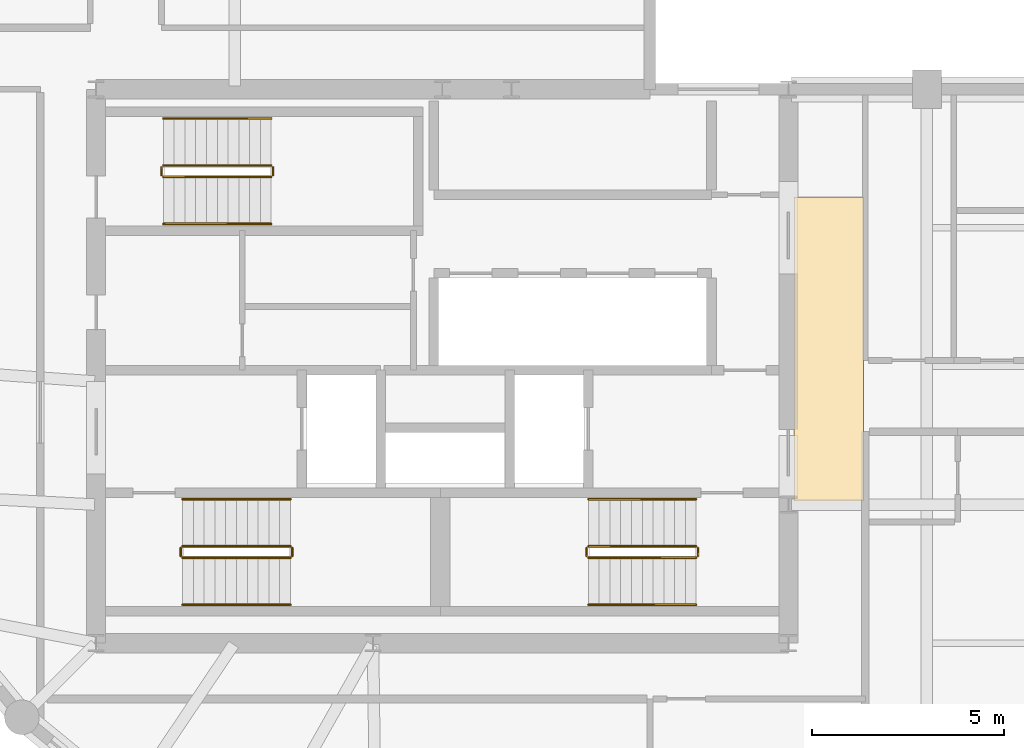
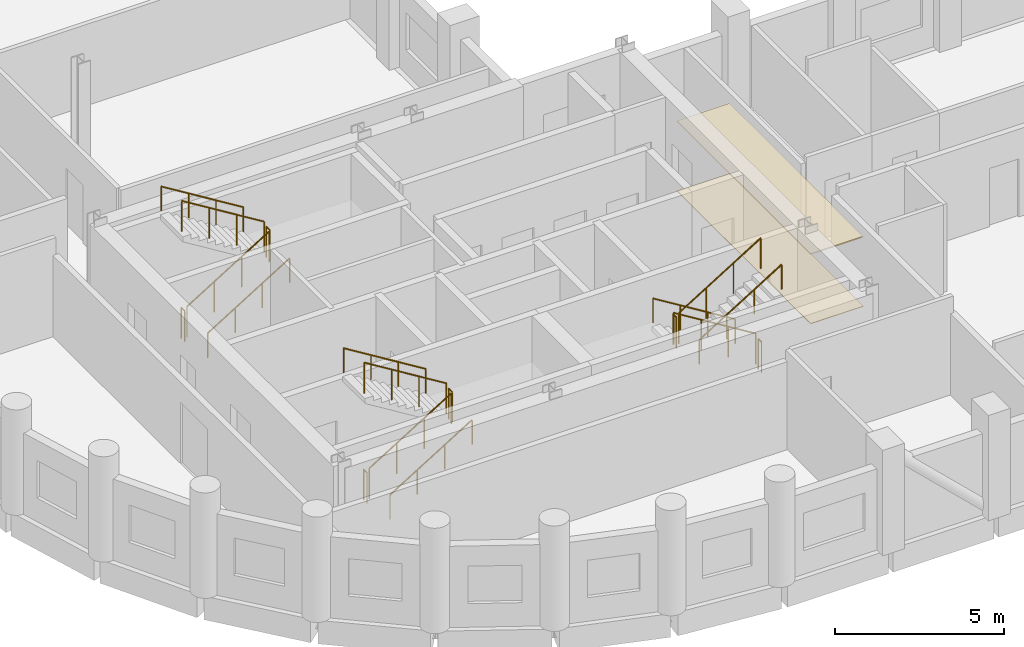
# One storey, part 8 of 8: 18 railings, 2 coverings.
"""IFC4 building model written with IfcOpenShell, lengths in metres."""

from ifc_helpers import new_model, si_unit, direction, frame, origin, origin_2d, place, context, subcontext, project, spatial, polyline, circle, outline, extrude, material, layer, layer_set, type_object, element, save


model = new_model("IFC4")

# Units and contexts
model_context = context("Model", 3, precision=1e-05, world=origin(), true_north=direction((0.0, 1.0)))
body_context = subcontext(model_context, "Body", "Model", "MODEL_VIEW")
ifc_project = project(units=[si_unit("LENGTHUNIT", "METRE"), si_unit("AREAUNIT", "SQUARE_METRE"), si_unit("VOLUMEUNIT", "CUBIC_METRE"), si_unit("PLANEANGLEUNIT", "RADIAN"), si_unit("MASSUNIT", "GRAM", prefix="KILO")], contexts=[model_context])

# Site, building, storey
site_placement = place(None, origin())
site = spatial("IfcSite", under=ifc_project, at=site_placement, CompositionType="ELEMENT")
building_placement = place(site_placement, origin())
building = spatial("IfcBuilding", under=site, at=building_placement, Name="Solnavia Interchange Tower", CompositionType="ELEMENT")
storey_placement = place(building_placement, frame((0.0, 0.0, 161.800048828125)))
storey = spatial("IfcBuildingStorey", under=building, at=storey_placement, Name="L40", CompositionType="ELEMENT", Elevation=161.800048828125)

# Coverings
ifc_material_1 = material(Name="Perforated Mineral-Fibre & Gypsum Ceiling", Category="gypsum")
ifc_layer_1 = layer(ifc_material_1, 0.0400390625)
ifc_layer_set_1 = layer_set([ifc_layer_1], Name="Perforated Mineral-Fibre & Gypsum Ceiling")
covering_type_1 = type_object("IfcCoveringType", Name="Covering-Ceiling-Acoustic40", PredefinedType="CEILING", material=ifc_layer_set_1)
covering_1_placement = place(storey_placement, frame((0.0, 0.0, 2.5)))
element("IfcCovering", 1, at=covering_1_placement, inside=storey, type_object=covering_type_1, Name="CLG-L40-01 Circulation suspended acoustic ceiling", PredefinedType="CEILING", context=body_context, shape_type="SweptSolid", body=[
    extrude(outline(polyline([(32.550048828125, 14.5), (34.35009765625, 14.5), (34.35009765625, 22.39990234375), (32.550048828125, 22.39990234375), (32.550048828125, 14.5)])), origin(), (0.0, 0.0, 1.0), 0.0400390625),
])
ifc_material_2 = material(Name="Engineered European Oak Flooring", Category="wood")
ifc_layer_2 = layer(ifc_material_2, 0.02001953125)
ifc_layer_set_2 = layer_set([ifc_layer_2], Name="Engineered European Oak Flooring")
covering_type_2 = type_object("IfcCoveringType", Name="Covering-Flooring-Timber20", PredefinedType="FLOORING", material=ifc_layer_set_2)
covering_2_placement = place(storey_placement, origin())
element("IfcCovering", 2, at=covering_2_placement, inside=storey, type_object=covering_type_2, Name="FLR-L40-01 Circulation floor finish", PredefinedType="FLOORING", context=body_context, shape_type="SweptSolid", body=[
    extrude(outline(polyline([(32.550048828125, 14.5), (34.35009765625, 14.5), (34.35009765625, 22.39990234375), (32.550048828125, 22.39990234375), (32.550048828125, 14.5)])), origin(), (0.0, 0.0, 1.0), 0.02001953125),
])

# Railings
ifc_material_3 = material(Name="Painted Steel Balustrade", Category="steel")
railing_type_1 = type_object("IfcRailingType", Name="Railing-StairGuard-1100", PredefinedType="GUARDRAIL", material=ifc_material_3)
railing_1_placement = place(storey_placement, frame((16.64990234375, 13.02001953125, 0.172607421875)))
element("IfcRailing", 3, at=railing_1_placement, inside=storey, type_object=railing_type_1, Name="L40 ST-1 stair guard 1", PredefinedType="GUARDRAIL", context=body_context, shape_type="SweptSolid", body=[
    extrude(circle(Radius=0.02392578125, at=origin_2d()), frame((0.0, 0.0, 1.09619140625), z_axis=(0.851089632645, 0.0, 0.525020415988), x_axis=(0.0, 1.0, 0.0)), (0.0, 0.0, 1.0), 3.2900390625),
    extrude(circle(Radius=0.02099609375, at=origin_2d()), origin(), (0.0, 0.0, 1.0), 1.072021484375),
    extrude(circle(Radius=0.02099609375, at=origin_2d()), frame((0.933349609375, 0.0, 0.57568359375)), (0.0, 0.0, 1.0), 1.072021484375),
    extrude(circle(Radius=0.02099609375, at=origin_2d()), frame((1.86669921875, 0.0, 1.151611328125)), (0.0, 0.0, 1.0), 1.072021484375),
    extrude(circle(Radius=0.02099609375, at=origin_2d()), frame((2.800048828125, 0.0, 1.727294921875)), (0.0, 0.0, 1.0), 1.072021484375),
])
railing_2_placement = place(storey_placement, frame((19.5, 13.070068359375, 1.89990234375)))
element("IfcRailing", 4, at=railing_2_placement, inside=storey, type_object=railing_type_1, Name="L40 ST-1 stair guard 2", PredefinedType="GUARDRAIL", context=body_context, shape_type="SweptSolid", body=[
    extrude(circle(Radius=0.02392578125, at=origin_2d()), frame((0.0, 0.0, 1.09619140625), z_axis=(0.0, 1.0, 0.0), x_axis=(-1.0, 0.0, 0.0)), (0.0, 0.0, 1.0), 0.199951171875),
    extrude(circle(Radius=0.02099609375, at=origin_2d()), origin(), (0.0, 0.0, 1.0), 1.072021484375),
    extrude(circle(Radius=0.02099609375, at=origin_2d()), frame((0.0, 0.199951171875, 0.0)), (0.0, 0.0, 1.0), 1.072021484375),
])
railing_3_placement = place(storey_placement, frame((19.449951171875, 13.320068359375, 2.07275390625)))
element("IfcRailing", 5, at=railing_3_placement, inside=storey, type_object=railing_type_1, Name="L40 ST-1 stair guard 3", PredefinedType="GUARDRAIL", context=body_context, shape_type="SweptSolid", body=[
    extrude(circle(Radius=0.02392578125, at=origin_2d()), frame((0.0, 0.0, 1.09619140625), z_axis=(-0.851089632645, 0.0, 0.525020415988), x_axis=(0.0, -1.0, 0.0)), (0.0, 0.0, 1.0), 3.2900390625),
    extrude(circle(Radius=0.02099609375, at=origin_2d()), origin(), (0.0, 0.0, 1.0), 1.072021484375),
    extrude(circle(Radius=0.02099609375, at=origin_2d()), frame((-0.933349609375, 0.0, 0.57568359375)), (0.0, 0.0, 1.0), 1.072021484375),
    extrude(circle(Radius=0.02099609375, at=origin_2d()), frame((-1.86669921875, 0.0, 1.151611328125)), (0.0, 0.0, 1.0), 1.072021484375),
    extrude(circle(Radius=0.02099609375, at=origin_2d()), frame((-2.800048828125, 0.0, 1.727294921875)), (0.0, 0.0, 1.0), 1.072021484375),
])
railing_4_placement = place(storey_placement, frame((16.60009765625, 13.070068359375, 0.0)))
element("IfcRailing", 6, at=railing_4_placement, inside=storey, type_object=railing_type_1, Name="L40 ST-1 stair guard 4", PredefinedType="GUARDRAIL", context=body_context, shape_type="SweptSolid", body=[
    extrude(circle(Radius=0.02392578125, at=origin_2d()), frame((0.0, 0.0, 1.09619140625), z_axis=(0.0, 1.0, 0.0), x_axis=(-1.0, 0.0, 0.0)), (0.0, 0.0, 1.0), 0.199951171875),
    extrude(circle(Radius=0.02099609375, at=origin_2d()), origin(), (0.0, 0.0, 1.0), 1.072021484375),
    extrude(circle(Radius=0.02099609375, at=origin_2d()), frame((0.0, 0.199951171875, 0.0)), (0.0, 0.0, 1.0), 1.072021484375),
])
railing_5_placement = place(storey_placement, frame((30.0, 13.320068359375, 0.172607421875)))
element("IfcRailing", 7, at=railing_5_placement, inside=storey, type_object=railing_type_1, Name="L40 ST-2 stair guard 1", PredefinedType="GUARDRAIL", context=body_context, shape_type="SweptSolid", body=[
    extrude(circle(Radius=0.02392578125, at=origin_2d()), frame((0.0, 0.0, 1.09619140625), z_axis=(-0.851089632645, 0.0, 0.525020415988), x_axis=(0.0, -1.0, 0.0)), (0.0, 0.0, 1.0), 3.2900390625),
    extrude(circle(Radius=0.02099609375, at=origin_2d()), origin(), (0.0, 0.0, 1.0), 1.072021484375),
    extrude(circle(Radius=0.02099609375, at=origin_2d()), frame((-0.933349609375, 0.0, 0.57568359375)), (0.0, 0.0, 1.0), 1.072021484375),
    extrude(circle(Radius=0.02099609375, at=origin_2d()), frame((-1.86669921875, 0.0, 1.151611328125)), (0.0, 0.0, 1.0), 1.072021484375),
    extrude(circle(Radius=0.02099609375, at=origin_2d()), frame((-2.800048828125, 0.0, 1.727294921875)), (0.0, 0.0, 1.0), 1.072021484375),
])
railing_6_placement = place(storey_placement, frame((27.14990234375, 13.27001953125, 1.89990234375)))
element("IfcRailing", 8, at=railing_6_placement, inside=storey, type_object=railing_type_1, Name="L40 ST-2 stair guard 2", PredefinedType="GUARDRAIL", context=body_context, shape_type="SweptSolid", body=[
    extrude(circle(Radius=0.02392578125, at=origin_2d()), frame((0.0, 0.0, 1.09619140625), z_axis=(0.0, -1.0, 0.0), x_axis=(1.0, 0.0, 0.0)), (0.0, 0.0, 1.0), 0.199951171875),
    extrude(circle(Radius=0.02099609375, at=origin_2d()), origin(), (0.0, 0.0, 1.0), 1.072021484375),
    extrude(circle(Radius=0.02099609375, at=origin_2d()), frame((0.0, -0.199951171875, 0.0)), (0.0, 0.0, 1.0), 1.072021484375),
])
railing_7_placement = place(storey_placement, frame((27.199951171875, 13.02001953125, 2.07275390625)))
element("IfcRailing", 9, at=railing_7_placement, inside=storey, type_object=railing_type_1, Name="L40 ST-2 stair guard 3", PredefinedType="GUARDRAIL", context=body_context, shape_type="SweptSolid", body=[
    extrude(circle(Radius=0.02392578125, at=origin_2d()), frame((0.0, 0.0, 1.09619140625), z_axis=(0.851089632645, 0.0, 0.525020415988), x_axis=(0.0, 1.0, 0.0)), (0.0, 0.0, 1.0), 3.2900390625),
    extrude(circle(Radius=0.02099609375, at=origin_2d()), origin(), (0.0, 0.0, 1.0), 1.072021484375),
    extrude(circle(Radius=0.02099609375, at=origin_2d()), frame((0.933349609375, 0.0, 0.57568359375)), (0.0, 0.0, 1.0), 1.072021484375),
    extrude(circle(Radius=0.02099609375, at=origin_2d()), frame((1.86669921875, 0.0, 1.151611328125)), (0.0, 0.0, 1.0), 1.072021484375),
    extrude(circle(Radius=0.02099609375, at=origin_2d()), frame((2.800048828125, 0.0, 1.727294921875)), (0.0, 0.0, 1.0), 1.072021484375),
])
railing_8_placement = place(storey_placement, frame((30.050048828125, 13.27001953125, 0.0)))
element("IfcRailing", 10, at=railing_8_placement, inside=storey, type_object=railing_type_1, Name="L40 ST-2 stair guard 4", PredefinedType="GUARDRAIL", context=body_context, shape_type="SweptSolid", body=[
    extrude(circle(Radius=0.02392578125, at=origin_2d()), frame((0.0, 0.0, 1.09619140625), z_axis=(0.0, -1.0, 0.0), x_axis=(1.0, 0.0, 0.0)), (0.0, 0.0, 1.0), 0.199951171875),
    extrude(circle(Radius=0.02099609375, at=origin_2d()), origin(), (0.0, 0.0, 1.0), 1.072021484375),
    extrude(circle(Radius=0.02099609375, at=origin_2d()), frame((0.0, -0.199951171875, 0.0)), (0.0, 0.0, 1.0), 1.072021484375),
])
railing_9_placement = place(storey_placement, frame((16.14990234375, 22.919921875, 0.172607421875)))
element("IfcRailing", 11, at=railing_9_placement, inside=storey, type_object=railing_type_1, Name="L40 ST-3 stair guard 1", PredefinedType="GUARDRAIL", context=body_context, shape_type="SweptSolid", body=[
    extrude(circle(Radius=0.02392578125, at=origin_2d()), frame((0.0, 0.0, 1.09619140625), z_axis=(0.851089632645, 0.0, 0.525020415988), x_axis=(0.0, 1.0, 0.0)), (0.0, 0.0, 1.0), 3.2900390625),
    extrude(circle(Radius=0.02099609375, at=origin_2d()), origin(), (0.0, 0.0, 1.0), 1.072021484375),
    extrude(circle(Radius=0.02099609375, at=origin_2d()), frame((0.933349609375, 0.0, 0.57568359375)), (0.0, 0.0, 1.0), 1.072021484375),
    extrude(circle(Radius=0.02099609375, at=origin_2d()), frame((1.86669921875, 0.0, 1.151611328125)), (0.0, 0.0, 1.0), 1.072021484375),
    extrude(circle(Radius=0.02099609375, at=origin_2d()), frame((2.800048828125, 0.0, 1.727294921875)), (0.0, 0.0, 1.0), 1.072021484375),
])
railing_10_placement = place(storey_placement, frame((19.0, 22.969970703125, 1.89990234375)))
element("IfcRailing", 12, at=railing_10_placement, inside=storey, type_object=railing_type_1, Name="L40 ST-3 stair guard 2", PredefinedType="GUARDRAIL", context=body_context, shape_type="SweptSolid", body=[
    extrude(circle(Radius=0.02392578125, at=origin_2d()), frame((0.0, 0.0, 1.09619140625), z_axis=(0.0, 1.0, 0.0), x_axis=(-1.0, 0.0, 0.0)), (0.0, 0.0, 1.0), 0.199951171875),
    extrude(circle(Radius=0.02099609375, at=origin_2d()), origin(), (0.0, 0.0, 1.0), 1.072021484375),
    extrude(circle(Radius=0.02099609375, at=origin_2d()), frame((0.0, 0.199951171875, 0.0)), (0.0, 0.0, 1.0), 1.072021484375),
])
railing_11_placement = place(storey_placement, frame((18.949951171875, 23.219970703125, 2.07275390625)))
element("IfcRailing", 13, at=railing_11_placement, inside=storey, type_object=railing_type_1, Name="L40 ST-3 stair guard 3", PredefinedType="GUARDRAIL", context=body_context, shape_type="SweptSolid", body=[
    extrude(circle(Radius=0.02392578125, at=origin_2d()), frame((0.0, 0.0, 1.09619140625), z_axis=(-0.851089632645, 0.0, 0.525020415988), x_axis=(0.0, -1.0, 0.0)), (0.0, 0.0, 1.0), 3.2900390625),
    extrude(circle(Radius=0.02099609375, at=origin_2d()), origin(), (0.0, 0.0, 1.0), 1.072021484375),
    extrude(circle(Radius=0.02099609375, at=origin_2d()), frame((-0.933349609375, 0.0, 0.57568359375)), (0.0, 0.0, 1.0), 1.072021484375),
    extrude(circle(Radius=0.02099609375, at=origin_2d()), frame((-1.86669921875, 0.0, 1.151611328125)), (0.0, 0.0, 1.0), 1.072021484375),
    extrude(circle(Radius=0.02099609375, at=origin_2d()), frame((-2.800048828125, 0.0, 1.727294921875)), (0.0, 0.0, 1.0), 1.072021484375),
])
railing_12_placement = place(storey_placement, frame((16.10009765625, 22.969970703125, 0.0)))
element("IfcRailing", 14, at=railing_12_placement, inside=storey, type_object=railing_type_1, Name="L40 ST-3 stair guard 4", PredefinedType="GUARDRAIL", context=body_context, shape_type="SweptSolid", body=[
    extrude(circle(Radius=0.02392578125, at=origin_2d()), frame((0.0, 0.0, 1.09619140625), z_axis=(0.0, 1.0, 0.0), x_axis=(-1.0, 0.0, 0.0)), (0.0, 0.0, 1.0), 0.199951171875),
    extrude(circle(Radius=0.02099609375, at=origin_2d()), origin(), (0.0, 0.0, 1.0), 1.072021484375),
    extrude(circle(Radius=0.02099609375, at=origin_2d()), frame((0.0, 0.199951171875, 0.0)), (0.0, 0.0, 1.0), 1.072021484375),
])
ifc_material_4 = material(Name="Brushed Stainless Steel", Category="steel")
railing_type_2 = type_object("IfcRailingType", Name="Railing-StairHandrail-900", PredefinedType="HANDRAIL", material=ifc_material_4)
railing_13_placement = place(storey_placement, frame((16.64990234375, 11.800048828125, 0.172607421875)))
element("IfcRailing", 15, at=railing_13_placement, inside=storey, type_object=railing_type_2, Name="L40 ST-1 stair handrail 1", PredefinedType="HANDRAIL", context=body_context, shape_type="SweptSolid", body=[
    extrude(circle(Radius=0.02392578125, at=origin_2d()), frame((0.0, 0.0, 0.8759765625), z_axis=(0.851089632645, 0.0, 0.525020415988), x_axis=(0.0, 1.0, 0.0)), (0.0, 0.0, 1.0), 3.2900390625),
    extrude(circle(Radius=0.02099609375, at=origin_2d()), origin(), (0.0, 0.0, 1.0), 0.851806640625),
    extrude(circle(Radius=0.02099609375, at=origin_2d()), frame((0.933349609375, 0.0, 0.57568359375)), (0.0, 0.0, 1.0), 0.851806640625),
    extrude(circle(Radius=0.02099609375, at=origin_2d()), frame((1.86669921875, 0.0, 1.151611328125)), (0.0, 0.0, 1.0), 0.851806640625),
    extrude(circle(Radius=0.02099609375, at=origin_2d()), frame((2.800048828125, 0.0, 1.727294921875)), (0.0, 0.0, 1.0), 0.851806640625),
])
for number, where, name in (
    (16, (19.449951171875, 14.5400390625, 2.07275390625), "L40 ST-1 stair handrail 2"),
    (17, (30.0, 14.5400390625, 0.172607421875), "L40 ST-2 stair handrail 1"),
):
    element("IfcRailing", number, at=place(storey_placement, frame(where)), inside=storey, type_object=railing_type_2, Name=name, PredefinedType="HANDRAIL", context=body_context, shape_type="SweptSolid", body=[
        extrude(circle(Radius=0.02392578125, at=origin_2d()), frame((0.0, 0.0, 0.8759765625), z_axis=(-0.851089632645, 0.0, 0.525020415988), x_axis=(0.0, -1.0, 0.0)), (0.0, 0.0, 1.0), 3.2900390625),
        extrude(circle(Radius=0.02099609375, at=origin_2d()), origin(), (0.0, 0.0, 1.0), 0.851806640625),
        extrude(circle(Radius=0.02099609375, at=origin_2d()), frame((-0.933349609375, 0.0, 0.57568359375)), (0.0, 0.0, 1.0), 0.851806640625),
        extrude(circle(Radius=0.02099609375, at=origin_2d()), frame((-1.86669921875, 0.0, 1.151611328125)), (0.0, 0.0, 1.0), 0.851806640625),
        extrude(circle(Radius=0.02099609375, at=origin_2d()), frame((-2.800048828125, 0.0, 1.727294921875)), (0.0, 0.0, 1.0), 0.851806640625),
    ])
for number, where, name in (
    (18, (27.199951171875, 11.800048828125, 2.07275390625), "L40 ST-2 stair handrail 2"),
    (19, (16.14990234375, 21.699951171875, 0.172607421875), "L40 ST-3 stair handrail 1"),
):
    element("IfcRailing", number, at=place(storey_placement, frame(where)), inside=storey, type_object=railing_type_2, Name=name, PredefinedType="HANDRAIL", context=body_context, shape_type="SweptSolid", body=[
        extrude(circle(Radius=0.02392578125, at=origin_2d()), frame((0.0, 0.0, 0.8759765625), z_axis=(0.851089632645, 0.0, 0.525020415988), x_axis=(0.0, 1.0, 0.0)), (0.0, 0.0, 1.0), 3.2900390625),
        extrude(circle(Radius=0.02099609375, at=origin_2d()), origin(), (0.0, 0.0, 1.0), 0.851806640625),
        extrude(circle(Radius=0.02099609375, at=origin_2d()), frame((0.933349609375, 0.0, 0.57568359375)), (0.0, 0.0, 1.0), 0.851806640625),
        extrude(circle(Radius=0.02099609375, at=origin_2d()), frame((1.86669921875, 0.0, 1.151611328125)), (0.0, 0.0, 1.0), 0.851806640625),
        extrude(circle(Radius=0.02099609375, at=origin_2d()), frame((2.800048828125, 0.0, 1.727294921875)), (0.0, 0.0, 1.0), 0.851806640625),
    ])
railing_14_placement = place(storey_placement, frame((18.949951171875, 24.43994140625, 2.07275390625)))
element("IfcRailing", 20, at=railing_14_placement, inside=storey, type_object=railing_type_2, Name="L40 ST-3 stair handrail 2", PredefinedType="HANDRAIL", context=body_context, shape_type="SweptSolid", body=[
    extrude(circle(Radius=0.02392578125, at=origin_2d()), frame((0.0, 0.0, 0.8759765625), z_axis=(-0.851089632645, 0.0, 0.525020415988), x_axis=(0.0, -1.0, 0.0)), (0.0, 0.0, 1.0), 3.2900390625),
    extrude(circle(Radius=0.02099609375, at=origin_2d()), origin(), (0.0, 0.0, 1.0), 0.851806640625),
    extrude(circle(Radius=0.02099609375, at=origin_2d()), frame((-0.933349609375, 0.0, 0.57568359375)), (0.0, 0.0, 1.0), 0.851806640625),
    extrude(circle(Radius=0.02099609375, at=origin_2d()), frame((-1.86669921875, 0.0, 1.151611328125)), (0.0, 0.0, 1.0), 0.851806640625),
    extrude(circle(Radius=0.02099609375, at=origin_2d()), frame((-2.800048828125, 0.0, 1.727294921875)), (0.0, 0.0, 1.0), 0.851806640625),
])

save(model, "model.ifc")
